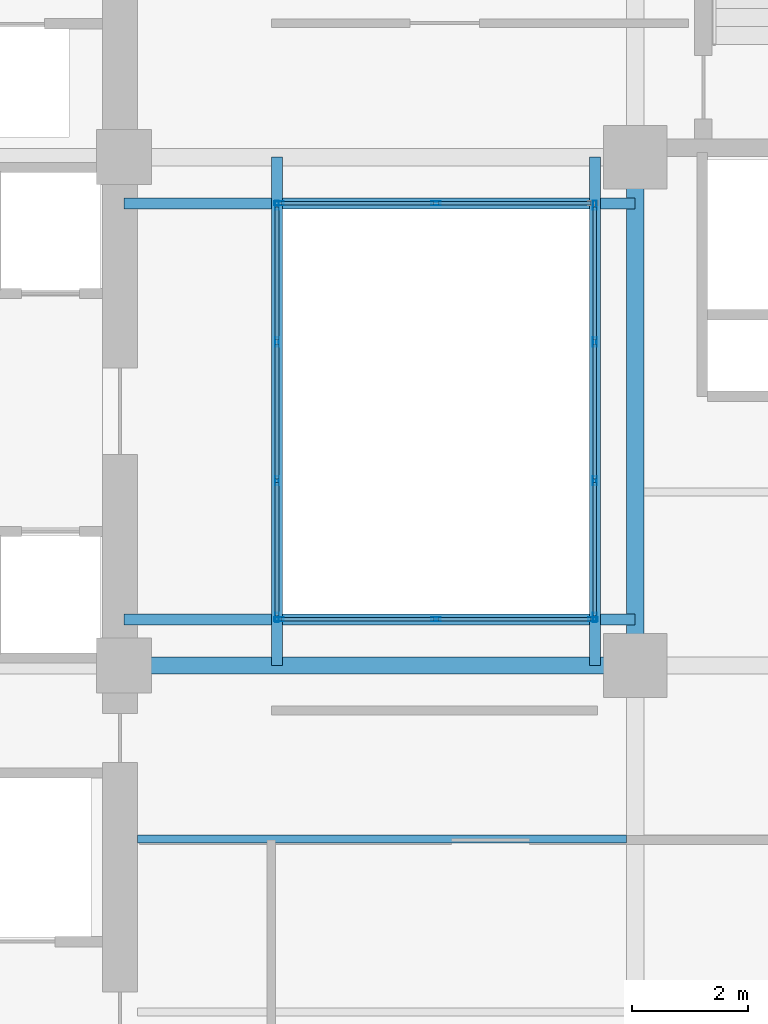
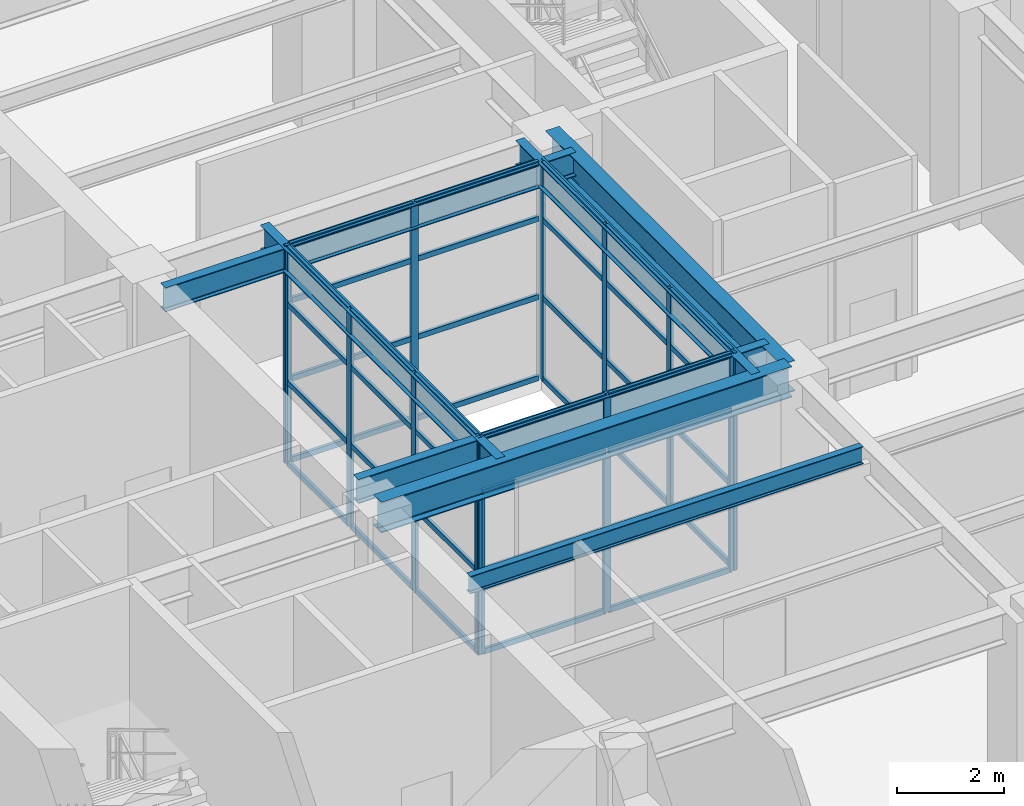
# One storey, part 2 of 13: 53 members, 7 beams, 4 elements without a shape of their own.
"""IFC4 building model written with IfcOpenShell, lengths in metres."""

from ifc_helpers import new_model, si_unit, direction, frame, origin, origin_2d, place, context, subcontext, project, spatial, hollow_rectangle, i_section, extrude, material, layer, layer_set, material_profile, profile_set, type_object, element, aggregate, save


model = new_model("IFC4")

# Units and contexts
model_context = context("Model", 3, precision=1e-05, world=origin(), true_north=direction((0.0, 1.0)))
body_context = subcontext(model_context, "Body", "Model", "MODEL_VIEW")
ifc_project = project(units=[si_unit("LENGTHUNIT", "METRE"), si_unit("AREAUNIT", "SQUARE_METRE"), si_unit("VOLUMEUNIT", "CUBIC_METRE"), si_unit("PLANEANGLEUNIT", "RADIAN"), si_unit("MASSUNIT", "GRAM", prefix="KILO")], contexts=[model_context])

# Site, building, storey
site_placement = place(None, origin())
site = spatial("IfcSite", under=ifc_project, at=site_placement, CompositionType="ELEMENT")
building_placement = place(site_placement, origin())
building = spatial("IfcBuilding", under=site, at=building_placement, Name="Kundavana Baori Tower", CompositionType="ELEMENT")
storey_placement = place(building_placement, frame((0.0, 0.0, 98.800048828125)))
storey = spatial("IfcBuildingStorey", under=building, at=storey_placement, Name="L23", CompositionType="ELEMENT", Elevation=98.800048828125)

# Beams
ifc_material_1 = material(Name="Structural Steel S355JR", Category="steel")
ifc_material_profile_1 = material_profile(ifc_material_1, i_section(OverallWidth=0.139892578125, OverallDepth=0.39990234375, WebThickness=0.0087890625, FlangeThickness=0.01611328125, FilletRadius=0.013916015625, at=origin_2d()), Name="ISMB 400")
ifc_profile_set_1 = profile_set([ifc_material_profile_1], Name="Structural Steel S355JR")
beam_type_1 = type_object("IfcBeamType", Name="BM-JST-400", PredefinedType="JOIST", material=ifc_profile_set_1)
beam_1_placement = place(storey_placement, frame((25.179931640625, 21.199951171875, 4.75), z_axis=(1.0, 0.0, 0.0), x_axis=(0.0, 1.0, 0.0)))
element("IfcBeam", 1, at=beam_1_placement, inside=storey, type_object=beam_type_1, Name="L23 Central Bay Composite Floor Joist C2", PredefinedType="JOIST", context=body_context, shape_type="SweptSolid", body=[
    extrude(i_section(OverallWidth=0.139892578125, OverallDepth=0.39990234375, WebThickness=0.0087890625, FlangeThickness=0.01611328125, FilletRadius=0.013916015625, at=origin_2d()), origin(), (0.0, 0.0, 1.0), 8.469970703125),
])
ifc_material_2 = material(Name="Structural Steel S355JR", Category="steel")
ifc_material_profile_2 = material_profile(ifc_material_2, i_section(OverallWidth=0.18994140625, OverallDepth=0.550048828125, WebThickness=0.01123046875, FlangeThickness=0.019287109375, FilletRadius=0.01806640625, at=origin_2d()), Name="ISMB 550")
ifc_profile_set_2 = profile_set([ifc_material_profile_2], Name="Structural Steel S355JR")
beam_type_2 = type_object("IfcBeamType", Name="BM-ST-550", PredefinedType="BEAM", material=ifc_profile_set_2)
for number, where, z_axis, x_axis, name in (
    (2, (27.60009765625, 24.199951171875, 4.675048828125), (0.0, 1.0, 0.0), (-1.0, 0.0, 0.0), "L23 Atrium West Edge Beam"),
    (3, (33.10009765625, 24.199951171875, 4.675048828125), (0.0, 1.0, 0.0), (-1.0, 0.0, 0.0), "L23 Atrium East Edge Beam"),
):
    element("IfcBeam", number, at=place(storey_placement, frame(where, z_axis=z_axis, x_axis=x_axis)), inside=storey, type_object=beam_type_2, Name=name, PredefinedType="BEAM", context=body_context, shape_type="SweptSolid", body=[
        extrude(i_section(OverallWidth=0.18994140625, OverallDepth=0.550048828125, WebThickness=0.01123046875, FlangeThickness=0.019287109375, FilletRadius=0.01806640625, at=origin_2d()), origin(), (0.0, 0.0, 1.0), 8.800048828125),
    ])
for number, where, z_axis, x_axis, name in (
    (4, (24.949951171875, 25.0, 4.675048828125), (1.0, 0.0, 0.0), (0.0, 1.0, 0.0), "L23 Atrium South Edge Beam"),
    (5, (24.949951171875, 32.199951171875, 4.675048828125), (1.0, 0.0, 0.0), (0.0, 1.0, 0.0), "L23 Atrium North Edge Beam"),
):
    element("IfcBeam", number, at=place(storey_placement, frame(where, z_axis=z_axis, x_axis=x_axis)), inside=storey, type_object=beam_type_2, Name=name, PredefinedType="BEAM", context=body_context, shape_type="SweptSolid", body=[
        extrude(i_section(OverallWidth=0.18994140625, OverallDepth=0.550048828125, WebThickness=0.01123046875, FlangeThickness=0.019287109375, FilletRadius=0.01806640625, at=origin_2d()), origin(), (0.0, 0.0, 1.0), 8.85009765625),
    ])
ifc_material_3 = material(Name="Structural Steel S355JR", Category="steel")
ifc_material_profile_3 = material_profile(ifc_material_3, i_section(OverallWidth=0.300048828125, OverallDepth=0.699951171875, WebThickness=0.014404296875, FlangeThickness=0.02392578125, FilletRadius=0.02392578125, at=origin_2d()), Name="NPB 700x300x170")
ifc_profile_set_3 = profile_set([ifc_material_profile_3], Name="Structural Steel S355JR")
beam_type_3 = type_object("IfcBeamType", Name="BM-ST-700", PredefinedType="BEAM", material=ifc_profile_set_3)
beam_2_placement = place(storey_placement, frame((24.949951171875, 24.199951171875, 4.599853515625), z_axis=(1.0, 0.0, 0.0), x_axis=(0.0, 1.0, 0.0)))
element("IfcBeam", 6, at=beam_2_placement, inside=storey, type_object=beam_type_3, Name="L23 Primary Grid Girder GX-2-2", PredefinedType="BEAM", context=body_context, shape_type="SweptSolid", body=[
    extrude(i_section(OverallWidth=0.300048828125, OverallDepth=0.699951171875, WebThickness=0.014404296875, FlangeThickness=0.02392578125, FilletRadius=0.02392578125, at=origin_2d()), origin(), (0.0, 0.0, 1.0), 8.85009765625),
])
beam_3_placement = place(storey_placement, frame((33.800048828125, 24.199951171875, 4.599853515625), z_axis=(0.0, 1.0, 0.0), x_axis=(-1.0, 0.0, 0.0)))
element("IfcBeam", 7, at=beam_3_placement, inside=storey, type_object=beam_type_3, Name="L23 Primary Grid Girder GY-3-2", PredefinedType="BEAM", context=body_context, shape_type="SweptSolid", body=[
    extrude(i_section(OverallWidth=0.300048828125, OverallDepth=0.699951171875, WebThickness=0.014404296875, FlangeThickness=0.02392578125, FilletRadius=0.02392578125, at=origin_2d()), origin(), (0.0, 0.0, 1.0), 8.800048828125),
])

# Curtain wall, members
ifc_material_4 = material(Name="Thermally Broken Anodised Aluminium Framing", Category="aluminium")
ifc_layer = layer(ifc_material_4, 0.205078125, Name="CW-SYS-4")
ifc_layer_set = layer_set([ifc_layer], Name="Thermally Broken Anodised Aluminium Framing")
curtain_wall_type = type_object("IfcCurtainWallType", Name="CW-SYS-4", PredefinedType="NOTDEFINED", material=ifc_layer_set)
curtain_wall_1_placement = place(storey_placement, origin())
curtain_wall_1 = element("IfcCurtainWall", 8, at=curtain_wall_1_placement, inside=storey, type_object=curtain_wall_type, Name="L23 Atrium Glazed Curtain Wall S", PredefinedType="NOTDEFINED")
ifc_material_5 = material(Name="Thermally Broken Anodised Aluminium Framing", Category="aluminium")
ifc_material_profile_4 = material_profile(ifc_material_5, hollow_rectangle(XDim=0.06494140625, YDim=0.159912109375, WallThickness=0.00390625, at=origin_2d()), Name="CW-MULL-160")
ifc_profile_set_4 = profile_set([ifc_material_profile_4], Name="Thermally Broken Anodised Aluminium Framing")
member_type_1 = type_object("IfcMemberType", Name="CW-MULL-160", PredefinedType="MULLION", material=ifc_profile_set_4)
member_1_placement = place(storey_placement, frame((27.632568359375, 25.0, 0.0), z_axis=(0.0, 0.0, 1.0), x_axis=(0.0, 1.0, 0.0)))
member_1 = element("IfcMember", 9, at=member_1_placement, type_object=member_type_1, Name="CW4 mullion 1", PredefinedType="MULLION", context=body_context, shape_type="SweptSolid", body=[
    extrude(hollow_rectangle(XDim=0.06494140625, YDim=0.159912109375, WallThickness=0.00390625, at=origin_2d()), origin(), (0.0, 0.0, 1.0), 4.949951171875),
])
member_2_placement = place(storey_placement, frame((30.35009765625, 25.0, 0.0), z_axis=(0.0, 0.0, 1.0), x_axis=(0.0, 1.0, 0.0)))
member_2 = element("IfcMember", 10, at=member_2_placement, type_object=member_type_1, Name="CW4 mullion 2", PredefinedType="MULLION", context=body_context, shape_type="SweptSolid", body=[
    extrude(hollow_rectangle(XDim=0.06494140625, YDim=0.159912109375, WallThickness=0.00390625, at=origin_2d()), origin(), (0.0, 0.0, 1.0), 4.949951171875),
])
member_3_placement = place(storey_placement, frame((33.0673828125, 25.0, 0.0), z_axis=(0.0, 0.0, 1.0), x_axis=(0.0, 1.0, 0.0)))
member_3 = element("IfcMember", 11, at=member_3_placement, type_object=member_type_1, Name="CW4 mullion 3", PredefinedType="MULLION", context=body_context, shape_type="SweptSolid", body=[
    extrude(hollow_rectangle(XDim=0.06494140625, YDim=0.159912109375, WallThickness=0.00390625, at=origin_2d()), origin(), (0.0, 0.0, 1.0), 4.949951171875),
])

curtain_wall_2_placement = place(storey_placement, origin())
curtain_wall_2 = element("IfcCurtainWall", 12, at=curtain_wall_2_placement, inside=storey, type_object=curtain_wall_type, Name="L23 Atrium Glazed Curtain Wall E", PredefinedType="NOTDEFINED")
member_4_placement = place(storey_placement, frame((33.10009765625, 25.032470703125, 0.0), z_axis=(0.0, 0.0, 1.0), x_axis=(-1.0, 0.0, 0.0)))
member_4 = element("IfcMember", 13, at=member_4_placement, type_object=member_type_1, Name="CW4 mullion 1", PredefinedType="MULLION", context=body_context, shape_type="SweptSolid", body=[
    extrude(hollow_rectangle(XDim=0.06494140625, YDim=0.159912109375, WallThickness=0.00390625, at=origin_2d()), origin(), (0.0, 0.0, 1.0), 4.949951171875),
])
member_5_placement = place(storey_placement, frame((33.10009765625, 27.39990234375, 0.0), z_axis=(0.0, 0.0, 1.0), x_axis=(-1.0, 0.0, 0.0)))
member_5 = element("IfcMember", 14, at=member_5_placement, type_object=member_type_1, Name="CW4 mullion 2", PredefinedType="MULLION", context=body_context, shape_type="SweptSolid", body=[
    extrude(hollow_rectangle(XDim=0.06494140625, YDim=0.159912109375, WallThickness=0.00390625, at=origin_2d()), origin(), (0.0, 0.0, 1.0), 4.949951171875),
])
member_6_placement = place(storey_placement, frame((33.10009765625, 29.800048828125, 0.0), z_axis=(0.0, 0.0, 1.0), x_axis=(-1.0, 0.0, 0.0)))
member_6 = element("IfcMember", 15, at=member_6_placement, type_object=member_type_1, Name="CW4 mullion 3", PredefinedType="MULLION", context=body_context, shape_type="SweptSolid", body=[
    extrude(hollow_rectangle(XDim=0.06494140625, YDim=0.159912109375, WallThickness=0.00390625, at=origin_2d()), origin(), (0.0, 0.0, 1.0), 4.949951171875),
])
member_7_placement = place(storey_placement, frame((33.10009765625, 32.16748046875, 0.0), z_axis=(0.0, 0.0, 1.0), x_axis=(-1.0, 0.0, 0.0)))
member_7 = element("IfcMember", 16, at=member_7_placement, type_object=member_type_1, Name="CW4 mullion 4", PredefinedType="MULLION", context=body_context, shape_type="SweptSolid", body=[
    extrude(hollow_rectangle(XDim=0.06494140625, YDim=0.159912109375, WallThickness=0.00390625, at=origin_2d()), origin(), (0.0, 0.0, 1.0), 4.949951171875),
])

curtain_wall_3_placement = place(storey_placement, origin())
curtain_wall_3 = element("IfcCurtainWall", 17, at=curtain_wall_3_placement, inside=storey, type_object=curtain_wall_type, Name="L23 Atrium Glazed Curtain Wall N", PredefinedType="NOTDEFINED")
member_8_placement = place(storey_placement, frame((30.35009765625, 32.199951171875, 0.0), z_axis=(0.0, 0.0, 1.0), x_axis=(0.0, -1.0, 0.0)))
member_8 = element("IfcMember", 18, at=member_8_placement, type_object=member_type_1, Name="CW4 mullion 2", PredefinedType="MULLION", context=body_context, shape_type="SweptSolid", body=[
    extrude(hollow_rectangle(XDim=0.06494140625, YDim=0.159912109375, WallThickness=0.00390625, at=origin_2d()), origin(), (0.0, 0.0, 1.0), 4.949951171875),
])
member_9_placement = place(storey_placement, frame((27.632568359375, 32.199951171875, 0.0), z_axis=(0.0, 0.0, 1.0), x_axis=(0.0, -1.0, 0.0)))
member_9 = element("IfcMember", 19, at=member_9_placement, type_object=member_type_1, Name="CW4 mullion 3", PredefinedType="MULLION", context=body_context, shape_type="SweptSolid", body=[
    extrude(hollow_rectangle(XDim=0.06494140625, YDim=0.159912109375, WallThickness=0.00390625, at=origin_2d()), origin(), (0.0, 0.0, 1.0), 4.949951171875),
])

curtain_wall_4_placement = place(storey_placement, origin())
curtain_wall_4 = element("IfcCurtainWall", 20, at=curtain_wall_4_placement, inside=storey, type_object=curtain_wall_type, Name="L23 Atrium Glazed Curtain Wall W", PredefinedType="NOTDEFINED")
member_10_placement = place(storey_placement, frame((27.60009765625, 32.16748046875, 0.0), z_axis=(0.0, 0.0, 1.0), x_axis=(1.0, 0.0, 0.0)))
member_10 = element("IfcMember", 21, at=member_10_placement, type_object=member_type_1, Name="CW4 mullion 1", PredefinedType="MULLION", context=body_context, shape_type="SweptSolid", body=[
    extrude(hollow_rectangle(XDim=0.06494140625, YDim=0.159912109375, WallThickness=0.00390625, at=origin_2d()), origin(), (0.0, 0.0, 1.0), 4.949951171875),
])
member_11_placement = place(storey_placement, frame((27.60009765625, 29.800048828125, 0.0), z_axis=(0.0, 0.0, 1.0), x_axis=(1.0, 0.0, 0.0)))
member_11 = element("IfcMember", 22, at=member_11_placement, type_object=member_type_1, Name="CW4 mullion 2", PredefinedType="MULLION", context=body_context, shape_type="SweptSolid", body=[
    extrude(hollow_rectangle(XDim=0.06494140625, YDim=0.159912109375, WallThickness=0.00390625, at=origin_2d()), origin(), (0.0, 0.0, 1.0), 4.949951171875),
])
member_12_placement = place(storey_placement, frame((27.60009765625, 27.39990234375, 0.0), z_axis=(0.0, 0.0, 1.0), x_axis=(1.0, 0.0, 0.0)))
member_12 = element("IfcMember", 23, at=member_12_placement, type_object=member_type_1, Name="CW4 mullion 3", PredefinedType="MULLION", context=body_context, shape_type="SweptSolid", body=[
    extrude(hollow_rectangle(XDim=0.06494140625, YDim=0.159912109375, WallThickness=0.00390625, at=origin_2d()), origin(), (0.0, 0.0, 1.0), 4.949951171875),
])
member_13_placement = place(storey_placement, frame((27.60009765625, 25.032470703125, 0.0), z_axis=(0.0, 0.0, 1.0), x_axis=(1.0, 0.0, 0.0)))
member_13 = element("IfcMember", 24, at=member_13_placement, type_object=member_type_1, Name="CW4 mullion 4", PredefinedType="MULLION", context=body_context, shape_type="SweptSolid", body=[
    extrude(hollow_rectangle(XDim=0.06494140625, YDim=0.159912109375, WallThickness=0.00390625, at=origin_2d()), origin(), (0.0, 0.0, 1.0), 4.949951171875),
])

# Member
ifc_material_6 = material(Name="Thermally Broken Anodised Aluminium Framing", Category="aluminium")
ifc_material_profile_5 = material_profile(ifc_material_6, hollow_rectangle(XDim=0.06494140625, YDim=0.1201171875, WallThickness=0.00390625, at=origin_2d()), Name="CW-TRAN-120")
ifc_profile_set_5 = profile_set([ifc_material_profile_5], Name="Thermally Broken Anodised Aluminium Framing")
member_type_2 = type_object("IfcMemberType", Name="CW-TRAN-120", PredefinedType="USERDEFINED", material=ifc_profile_set_5)
member_14_placement = place(storey_placement, frame((27.6650390625, 25.0, 0.032470703125), z_axis=(1.0, 0.0, 0.0), x_axis=(0.0, 1.0, 0.0)))
member_14 = element("IfcMember", 25, at=member_14_placement, type_object=member_type_2, Name="CW4 transom 1.1", ObjectType="TRANSOM", PredefinedType="USERDEFINED", context=body_context, shape_type="SweptSolid", body=[
    extrude(hollow_rectangle(XDim=0.06494140625, YDim=0.1201171875, WallThickness=0.00390625, at=origin_2d()), origin(), (0.0, 0.0, 1.0), 2.65234375),
])

member_15_placement = place(storey_placement, frame((27.6650390625, 25.0, 1.880859375), z_axis=(1.0, 0.0, 0.0), x_axis=(0.0, 1.0, 0.0)))
member_15 = element("IfcMember", 26, at=member_15_placement, type_object=member_type_2, Name="CW4 transom 1.2", ObjectType="TRANSOM", PredefinedType="USERDEFINED", context=body_context, shape_type="SweptSolid", body=[
    extrude(hollow_rectangle(XDim=0.06494140625, YDim=0.1201171875, WallThickness=0.00390625, at=origin_2d()), origin(), (0.0, 0.0, 1.0), 2.65234375),
])

member_16_placement = place(storey_placement, frame((27.6650390625, 25.0, 3.662841796875), z_axis=(1.0, 0.0, 0.0), x_axis=(0.0, 1.0, 0.0)))
member_16 = element("IfcMember", 27, at=member_16_placement, type_object=member_type_2, Name="CW4 transom 1.3", ObjectType="TRANSOM", PredefinedType="USERDEFINED", context=body_context, shape_type="SweptSolid", body=[
    extrude(hollow_rectangle(XDim=0.06494140625, YDim=0.1201171875, WallThickness=0.00390625, at=origin_2d()), origin(), (0.0, 0.0, 1.0), 2.65234375),
])

member_17_placement = place(storey_placement, frame((27.6650390625, 25.0, 4.91748046875), z_axis=(1.0, 0.0, 0.0), x_axis=(0.0, 1.0, 0.0)))
member_17 = element("IfcMember", 28, at=member_17_placement, type_object=member_type_2, Name="CW4 transom 1.4", ObjectType="TRANSOM", PredefinedType="USERDEFINED", context=body_context, shape_type="SweptSolid", body=[
    extrude(hollow_rectangle(XDim=0.06494140625, YDim=0.1201171875, WallThickness=0.00390625, at=origin_2d()), origin(), (0.0, 0.0, 1.0), 2.65234375),
])

member_18_placement = place(storey_placement, frame((30.382568359375, 25.0, 0.032470703125), z_axis=(1.0, 0.0, 0.0), x_axis=(0.0, 1.0, 0.0)))
member_18 = element("IfcMember", 29, at=member_18_placement, type_object=member_type_2, Name="CW4 transom 2.1", ObjectType="TRANSOM", PredefinedType="USERDEFINED", context=body_context, shape_type="SweptSolid", body=[
    extrude(hollow_rectangle(XDim=0.06494140625, YDim=0.1201171875, WallThickness=0.00390625, at=origin_2d()), origin(), (0.0, 0.0, 1.0), 2.65234375),
])

member_19_placement = place(storey_placement, frame((30.382568359375, 25.0, 1.880859375), z_axis=(1.0, 0.0, 0.0), x_axis=(0.0, 1.0, 0.0)))
member_19 = element("IfcMember", 30, at=member_19_placement, type_object=member_type_2, Name="CW4 transom 2.2", ObjectType="TRANSOM", PredefinedType="USERDEFINED", context=body_context, shape_type="SweptSolid", body=[
    extrude(hollow_rectangle(XDim=0.06494140625, YDim=0.1201171875, WallThickness=0.00390625, at=origin_2d()), origin(), (0.0, 0.0, 1.0), 2.65234375),
])

member_20_placement = place(storey_placement, frame((30.382568359375, 25.0, 3.662841796875), z_axis=(1.0, 0.0, 0.0), x_axis=(0.0, 1.0, 0.0)))
member_20 = element("IfcMember", 31, at=member_20_placement, type_object=member_type_2, Name="CW4 transom 2.3", ObjectType="TRANSOM", PredefinedType="USERDEFINED", context=body_context, shape_type="SweptSolid", body=[
    extrude(hollow_rectangle(XDim=0.06494140625, YDim=0.1201171875, WallThickness=0.00390625, at=origin_2d()), origin(), (0.0, 0.0, 1.0), 2.65234375),
])

member_21_placement = place(storey_placement, frame((30.382568359375, 25.0, 4.91748046875), z_axis=(1.0, 0.0, 0.0), x_axis=(0.0, 1.0, 0.0)))
member_21 = element("IfcMember", 32, at=member_21_placement, type_object=member_type_2, Name="CW4 transom 2.4", ObjectType="TRANSOM", PredefinedType="USERDEFINED", context=body_context, shape_type="SweptSolid", body=[
    extrude(hollow_rectangle(XDim=0.06494140625, YDim=0.1201171875, WallThickness=0.00390625, at=origin_2d()), origin(), (0.0, 0.0, 1.0), 2.65234375),
])

aggregate(curtain_wall_1, [member_1, member_2, member_3, member_14, member_15, member_16, member_17, member_18, member_19, member_20, member_21])

member_22_placement = place(storey_placement, frame((33.10009765625, 25.06494140625, 0.032470703125), z_axis=(0.0, 1.0, 0.0), x_axis=(-1.0, 0.0, 0.0)))
member_22 = element("IfcMember", 33, at=member_22_placement, type_object=member_type_2, Name="CW4 transom 1.1", ObjectType="TRANSOM", PredefinedType="USERDEFINED", context=body_context, shape_type="SweptSolid", body=[
    extrude(hollow_rectangle(XDim=0.06494140625, YDim=0.1201171875, WallThickness=0.00390625, at=origin_2d()), origin(), (0.0, 0.0, 1.0), 2.302490234375),
])

member_23_placement = place(storey_placement, frame((33.10009765625, 25.06494140625, 1.880859375), z_axis=(0.0, 1.0, 0.0), x_axis=(-1.0, 0.0, 0.0)))
member_23 = element("IfcMember", 34, at=member_23_placement, type_object=member_type_2, Name="CW4 transom 1.2", ObjectType="TRANSOM", PredefinedType="USERDEFINED", context=body_context, shape_type="SweptSolid", body=[
    extrude(hollow_rectangle(XDim=0.06494140625, YDim=0.1201171875, WallThickness=0.00390625, at=origin_2d()), origin(), (0.0, 0.0, 1.0), 2.302490234375),
])

member_24_placement = place(storey_placement, frame((33.10009765625, 25.06494140625, 3.662841796875), z_axis=(0.0, 1.0, 0.0), x_axis=(-1.0, 0.0, 0.0)))
member_24 = element("IfcMember", 35, at=member_24_placement, type_object=member_type_2, Name="CW4 transom 1.3", ObjectType="TRANSOM", PredefinedType="USERDEFINED", context=body_context, shape_type="SweptSolid", body=[
    extrude(hollow_rectangle(XDim=0.06494140625, YDim=0.1201171875, WallThickness=0.00390625, at=origin_2d()), origin(), (0.0, 0.0, 1.0), 2.302490234375),
])

member_25_placement = place(storey_placement, frame((33.10009765625, 25.06494140625, 4.91748046875), z_axis=(0.0, 1.0, 0.0), x_axis=(-1.0, 0.0, 0.0)))
member_25 = element("IfcMember", 36, at=member_25_placement, type_object=member_type_2, Name="CW4 transom 1.4", ObjectType="TRANSOM", PredefinedType="USERDEFINED", context=body_context, shape_type="SweptSolid", body=[
    extrude(hollow_rectangle(XDim=0.06494140625, YDim=0.1201171875, WallThickness=0.00390625, at=origin_2d()), origin(), (0.0, 0.0, 1.0), 2.302490234375),
])

member_26_placement = place(storey_placement, frame((33.10009765625, 27.4326171875, 0.032470703125), z_axis=(0.0, 1.0, 0.0), x_axis=(-1.0, 0.0, 0.0)))
member_26 = element("IfcMember", 37, at=member_26_placement, type_object=member_type_2, Name="CW4 transom 2.1", ObjectType="TRANSOM", PredefinedType="USERDEFINED", context=body_context, shape_type="SweptSolid", body=[
    extrude(hollow_rectangle(XDim=0.06494140625, YDim=0.1201171875, WallThickness=0.00390625, at=origin_2d()), origin(), (0.0, 0.0, 1.0), 2.3349609375),
])

member_27_placement = place(storey_placement, frame((33.10009765625, 27.4326171875, 1.880859375), z_axis=(0.0, 1.0, 0.0), x_axis=(-1.0, 0.0, 0.0)))
member_27 = element("IfcMember", 38, at=member_27_placement, type_object=member_type_2, Name="CW4 transom 2.2", ObjectType="TRANSOM", PredefinedType="USERDEFINED", context=body_context, shape_type="SweptSolid", body=[
    extrude(hollow_rectangle(XDim=0.06494140625, YDim=0.1201171875, WallThickness=0.00390625, at=origin_2d()), origin(), (0.0, 0.0, 1.0), 2.3349609375),
])

member_28_placement = place(storey_placement, frame((33.10009765625, 27.4326171875, 3.662841796875), z_axis=(0.0, 1.0, 0.0), x_axis=(-1.0, 0.0, 0.0)))
member_28 = element("IfcMember", 39, at=member_28_placement, type_object=member_type_2, Name="CW4 transom 2.3", ObjectType="TRANSOM", PredefinedType="USERDEFINED", context=body_context, shape_type="SweptSolid", body=[
    extrude(hollow_rectangle(XDim=0.06494140625, YDim=0.1201171875, WallThickness=0.00390625, at=origin_2d()), origin(), (0.0, 0.0, 1.0), 2.3349609375),
])

member_29_placement = place(storey_placement, frame((33.10009765625, 27.4326171875, 4.91748046875), z_axis=(0.0, 1.0, 0.0), x_axis=(-1.0, 0.0, 0.0)))
member_29 = element("IfcMember", 40, at=member_29_placement, type_object=member_type_2, Name="CW4 transom 2.4", ObjectType="TRANSOM", PredefinedType="USERDEFINED", context=body_context, shape_type="SweptSolid", body=[
    extrude(hollow_rectangle(XDim=0.06494140625, YDim=0.1201171875, WallThickness=0.00390625, at=origin_2d()), origin(), (0.0, 0.0, 1.0), 2.3349609375),
])

member_30_placement = place(storey_placement, frame((33.10009765625, 29.83251953125, 0.032470703125), z_axis=(0.0, 1.0, 0.0), x_axis=(-1.0, 0.0, 0.0)))
member_30 = element("IfcMember", 41, at=member_30_placement, type_object=member_type_2, Name="CW4 transom 3.1", ObjectType="TRANSOM", PredefinedType="USERDEFINED", context=body_context, shape_type="SweptSolid", body=[
    extrude(hollow_rectangle(XDim=0.06494140625, YDim=0.1201171875, WallThickness=0.00390625, at=origin_2d()), origin(), (0.0, 0.0, 1.0), 2.302490234375),
])

member_31_placement = place(storey_placement, frame((33.10009765625, 29.83251953125, 1.880859375), z_axis=(0.0, 1.0, 0.0), x_axis=(-1.0, 0.0, 0.0)))
member_31 = element("IfcMember", 42, at=member_31_placement, type_object=member_type_2, Name="CW4 transom 3.2", ObjectType="TRANSOM", PredefinedType="USERDEFINED", context=body_context, shape_type="SweptSolid", body=[
    extrude(hollow_rectangle(XDim=0.06494140625, YDim=0.1201171875, WallThickness=0.00390625, at=origin_2d()), origin(), (0.0, 0.0, 1.0), 2.302490234375),
])

member_32_placement = place(storey_placement, frame((33.10009765625, 29.83251953125, 3.662841796875), z_axis=(0.0, 1.0, 0.0), x_axis=(-1.0, 0.0, 0.0)))
member_32 = element("IfcMember", 43, at=member_32_placement, type_object=member_type_2, Name="CW4 transom 3.3", ObjectType="TRANSOM", PredefinedType="USERDEFINED", context=body_context, shape_type="SweptSolid", body=[
    extrude(hollow_rectangle(XDim=0.06494140625, YDim=0.1201171875, WallThickness=0.00390625, at=origin_2d()), origin(), (0.0, 0.0, 1.0), 2.302490234375),
])

member_33_placement = place(storey_placement, frame((33.10009765625, 29.83251953125, 4.91748046875), z_axis=(0.0, 1.0, 0.0), x_axis=(-1.0, 0.0, 0.0)))
member_33 = element("IfcMember", 44, at=member_33_placement, type_object=member_type_2, Name="CW4 transom 3.4", ObjectType="TRANSOM", PredefinedType="USERDEFINED", context=body_context, shape_type="SweptSolid", body=[
    extrude(hollow_rectangle(XDim=0.06494140625, YDim=0.1201171875, WallThickness=0.00390625, at=origin_2d()), origin(), (0.0, 0.0, 1.0), 2.302490234375),
])

aggregate(curtain_wall_2, [member_4, member_5, member_6, member_7, member_22, member_23, member_24, member_25, member_26, member_27, member_28, member_29, member_30, member_31, member_32, member_33])

member_34_placement = place(storey_placement, frame((33.034912109375, 32.199951171875, 0.032470703125), z_axis=(-1.0, 0.0, 0.0), x_axis=(0.0, -1.0, 0.0)))
member_34 = element("IfcMember", 45, at=member_34_placement, type_object=member_type_2, Name="CW4 transom 1.1", ObjectType="TRANSOM", PredefinedType="USERDEFINED", context=body_context, shape_type="SweptSolid", body=[
    extrude(hollow_rectangle(XDim=0.06494140625, YDim=0.1201171875, WallThickness=0.00390625, at=origin_2d()), origin(), (0.0, 0.0, 1.0), 2.65234375),
])

member_35_placement = place(storey_placement, frame((33.034912109375, 32.199951171875, 1.880859375), z_axis=(-1.0, 0.0, 0.0), x_axis=(0.0, -1.0, 0.0)))
member_35 = element("IfcMember", 46, at=member_35_placement, type_object=member_type_2, Name="CW4 transom 1.2", ObjectType="TRANSOM", PredefinedType="USERDEFINED", context=body_context, shape_type="SweptSolid", body=[
    extrude(hollow_rectangle(XDim=0.06494140625, YDim=0.1201171875, WallThickness=0.00390625, at=origin_2d()), origin(), (0.0, 0.0, 1.0), 2.65234375),
])

member_36_placement = place(storey_placement, frame((33.034912109375, 32.199951171875, 3.662841796875), z_axis=(-1.0, 0.0, 0.0), x_axis=(0.0, -1.0, 0.0)))
member_36 = element("IfcMember", 47, at=member_36_placement, type_object=member_type_2, Name="CW4 transom 1.3", ObjectType="TRANSOM", PredefinedType="USERDEFINED", context=body_context, shape_type="SweptSolid", body=[
    extrude(hollow_rectangle(XDim=0.06494140625, YDim=0.1201171875, WallThickness=0.00390625, at=origin_2d()), origin(), (0.0, 0.0, 1.0), 2.65234375),
])

member_37_placement = place(storey_placement, frame((33.034912109375, 32.199951171875, 4.91748046875), z_axis=(-1.0, 0.0, 0.0), x_axis=(0.0, -1.0, 0.0)))
member_37 = element("IfcMember", 48, at=member_37_placement, type_object=member_type_2, Name="CW4 transom 1.4", ObjectType="TRANSOM", PredefinedType="USERDEFINED", context=body_context, shape_type="SweptSolid", body=[
    extrude(hollow_rectangle(XDim=0.06494140625, YDim=0.1201171875, WallThickness=0.00390625, at=origin_2d()), origin(), (0.0, 0.0, 1.0), 2.65234375),
])

member_38_placement = place(storey_placement, frame((30.3173828125, 32.199951171875, 0.032470703125), z_axis=(-1.0, 0.0, 0.0), x_axis=(0.0, -1.0, 0.0)))
member_38 = element("IfcMember", 49, at=member_38_placement, type_object=member_type_2, Name="CW4 transom 2.1", ObjectType="TRANSOM", PredefinedType="USERDEFINED", context=body_context, shape_type="SweptSolid", body=[
    extrude(hollow_rectangle(XDim=0.06494140625, YDim=0.1201171875, WallThickness=0.00390625, at=origin_2d()), origin(), (0.0, 0.0, 1.0), 2.65234375),
])

member_39_placement = place(storey_placement, frame((30.3173828125, 32.199951171875, 1.880859375), z_axis=(-1.0, 0.0, 0.0), x_axis=(0.0, -1.0, 0.0)))
member_39 = element("IfcMember", 50, at=member_39_placement, type_object=member_type_2, Name="CW4 transom 2.2", ObjectType="TRANSOM", PredefinedType="USERDEFINED", context=body_context, shape_type="SweptSolid", body=[
    extrude(hollow_rectangle(XDim=0.06494140625, YDim=0.1201171875, WallThickness=0.00390625, at=origin_2d()), origin(), (0.0, 0.0, 1.0), 2.65234375),
])

member_40_placement = place(storey_placement, frame((30.3173828125, 32.199951171875, 3.662841796875), z_axis=(-1.0, 0.0, 0.0), x_axis=(0.0, -1.0, 0.0)))
member_40 = element("IfcMember", 51, at=member_40_placement, type_object=member_type_2, Name="CW4 transom 2.3", ObjectType="TRANSOM", PredefinedType="USERDEFINED", context=body_context, shape_type="SweptSolid", body=[
    extrude(hollow_rectangle(XDim=0.06494140625, YDim=0.1201171875, WallThickness=0.00390625, at=origin_2d()), origin(), (0.0, 0.0, 1.0), 2.65234375),
])

member_41_placement = place(storey_placement, frame((30.3173828125, 32.199951171875, 4.91748046875), z_axis=(-1.0, 0.0, 0.0), x_axis=(0.0, -1.0, 0.0)))
member_41 = element("IfcMember", 52, at=member_41_placement, type_object=member_type_2, Name="CW4 transom 2.4", ObjectType="TRANSOM", PredefinedType="USERDEFINED", context=body_context, shape_type="SweptSolid", body=[
    extrude(hollow_rectangle(XDim=0.06494140625, YDim=0.1201171875, WallThickness=0.00390625, at=origin_2d()), origin(), (0.0, 0.0, 1.0), 2.65234375),
])

aggregate(curtain_wall_3, [member_8, member_9, member_34, member_35, member_36, member_37, member_38, member_39, member_40, member_41])

member_42_placement = place(storey_placement, frame((27.60009765625, 32.135009765625, 0.032470703125), z_axis=(0.0, -1.0, 0.0), x_axis=(1.0, 0.0, 0.0)))
member_42 = element("IfcMember", 53, at=member_42_placement, type_object=member_type_2, Name="CW4 transom 1.1", ObjectType="TRANSOM", PredefinedType="USERDEFINED", context=body_context, shape_type="SweptSolid", body=[
    extrude(hollow_rectangle(XDim=0.06494140625, YDim=0.1201171875, WallThickness=0.00390625, at=origin_2d()), origin(), (0.0, 0.0, 1.0), 2.302490234375),
])

member_43_placement = place(storey_placement, frame((27.60009765625, 32.135009765625, 1.880859375), z_axis=(0.0, -1.0, 0.0), x_axis=(1.0, 0.0, 0.0)))
member_43 = element("IfcMember", 54, at=member_43_placement, type_object=member_type_2, Name="CW4 transom 1.2", ObjectType="TRANSOM", PredefinedType="USERDEFINED", context=body_context, shape_type="SweptSolid", body=[
    extrude(hollow_rectangle(XDim=0.06494140625, YDim=0.1201171875, WallThickness=0.00390625, at=origin_2d()), origin(), (0.0, 0.0, 1.0), 2.302490234375),
])

member_44_placement = place(storey_placement, frame((27.60009765625, 32.135009765625, 3.662841796875), z_axis=(0.0, -1.0, 0.0), x_axis=(1.0, 0.0, 0.0)))
member_44 = element("IfcMember", 55, at=member_44_placement, type_object=member_type_2, Name="CW4 transom 1.3", ObjectType="TRANSOM", PredefinedType="USERDEFINED", context=body_context, shape_type="SweptSolid", body=[
    extrude(hollow_rectangle(XDim=0.06494140625, YDim=0.1201171875, WallThickness=0.00390625, at=origin_2d()), origin(), (0.0, 0.0, 1.0), 2.302490234375),
])

member_45_placement = place(storey_placement, frame((27.60009765625, 32.135009765625, 4.91748046875), z_axis=(0.0, -1.0, 0.0), x_axis=(1.0, 0.0, 0.0)))
member_45 = element("IfcMember", 56, at=member_45_placement, type_object=member_type_2, Name="CW4 transom 1.4", ObjectType="TRANSOM", PredefinedType="USERDEFINED", context=body_context, shape_type="SweptSolid", body=[
    extrude(hollow_rectangle(XDim=0.06494140625, YDim=0.1201171875, WallThickness=0.00390625, at=origin_2d()), origin(), (0.0, 0.0, 1.0), 2.302490234375),
])

member_46_placement = place(storey_placement, frame((27.60009765625, 29.767578125, 0.032470703125), z_axis=(0.0, -1.0, 0.0), x_axis=(1.0, 0.0, 0.0)))
member_46 = element("IfcMember", 57, at=member_46_placement, type_object=member_type_2, Name="CW4 transom 2.1", ObjectType="TRANSOM", PredefinedType="USERDEFINED", context=body_context, shape_type="SweptSolid", body=[
    extrude(hollow_rectangle(XDim=0.06494140625, YDim=0.1201171875, WallThickness=0.00390625, at=origin_2d()), origin(), (0.0, 0.0, 1.0), 2.3349609375),
])

member_47_placement = place(storey_placement, frame((27.60009765625, 29.767578125, 1.880859375), z_axis=(0.0, -1.0, 0.0), x_axis=(1.0, 0.0, 0.0)))
member_47 = element("IfcMember", 58, at=member_47_placement, type_object=member_type_2, Name="CW4 transom 2.2", ObjectType="TRANSOM", PredefinedType="USERDEFINED", context=body_context, shape_type="SweptSolid", body=[
    extrude(hollow_rectangle(XDim=0.06494140625, YDim=0.1201171875, WallThickness=0.00390625, at=origin_2d()), origin(), (0.0, 0.0, 1.0), 2.3349609375),
])

member_48_placement = place(storey_placement, frame((27.60009765625, 29.767578125, 3.662841796875), z_axis=(0.0, -1.0, 0.0), x_axis=(1.0, 0.0, 0.0)))
member_48 = element("IfcMember", 59, at=member_48_placement, type_object=member_type_2, Name="CW4 transom 2.3", ObjectType="TRANSOM", PredefinedType="USERDEFINED", context=body_context, shape_type="SweptSolid", body=[
    extrude(hollow_rectangle(XDim=0.06494140625, YDim=0.1201171875, WallThickness=0.00390625, at=origin_2d()), origin(), (0.0, 0.0, 1.0), 2.3349609375),
])

member_49_placement = place(storey_placement, frame((27.60009765625, 29.767578125, 4.91748046875), z_axis=(0.0, -1.0, 0.0), x_axis=(1.0, 0.0, 0.0)))
member_49 = element("IfcMember", 60, at=member_49_placement, type_object=member_type_2, Name="CW4 transom 2.4", ObjectType="TRANSOM", PredefinedType="USERDEFINED", context=body_context, shape_type="SweptSolid", body=[
    extrude(hollow_rectangle(XDim=0.06494140625, YDim=0.1201171875, WallThickness=0.00390625, at=origin_2d()), origin(), (0.0, 0.0, 1.0), 2.3349609375),
])

member_50_placement = place(storey_placement, frame((27.60009765625, 27.367431640625, 0.032470703125), z_axis=(0.0, -1.0, 0.0), x_axis=(1.0, 0.0, 0.0)))
member_50 = element("IfcMember", 61, at=member_50_placement, type_object=member_type_2, Name="CW4 transom 3.1", ObjectType="TRANSOM", PredefinedType="USERDEFINED", context=body_context, shape_type="SweptSolid", body=[
    extrude(hollow_rectangle(XDim=0.06494140625, YDim=0.1201171875, WallThickness=0.00390625, at=origin_2d()), origin(), (0.0, 0.0, 1.0), 2.302490234375),
])

member_51_placement = place(storey_placement, frame((27.60009765625, 27.367431640625, 1.880859375), z_axis=(0.0, -1.0, 0.0), x_axis=(1.0, 0.0, 0.0)))
member_51 = element("IfcMember", 62, at=member_51_placement, type_object=member_type_2, Name="CW4 transom 3.2", ObjectType="TRANSOM", PredefinedType="USERDEFINED", context=body_context, shape_type="SweptSolid", body=[
    extrude(hollow_rectangle(XDim=0.06494140625, YDim=0.1201171875, WallThickness=0.00390625, at=origin_2d()), origin(), (0.0, 0.0, 1.0), 2.302490234375),
])

member_52_placement = place(storey_placement, frame((27.60009765625, 27.367431640625, 3.662841796875), z_axis=(0.0, -1.0, 0.0), x_axis=(1.0, 0.0, 0.0)))
member_52 = element("IfcMember", 63, at=member_52_placement, type_object=member_type_2, Name="CW4 transom 3.3", ObjectType="TRANSOM", PredefinedType="USERDEFINED", context=body_context, shape_type="SweptSolid", body=[
    extrude(hollow_rectangle(XDim=0.06494140625, YDim=0.1201171875, WallThickness=0.00390625, at=origin_2d()), origin(), (0.0, 0.0, 1.0), 2.302490234375),
])

member_53_placement = place(storey_placement, frame((27.60009765625, 27.367431640625, 4.91748046875), z_axis=(0.0, -1.0, 0.0), x_axis=(1.0, 0.0, 0.0)))
member_53 = element("IfcMember", 64, at=member_53_placement, type_object=member_type_2, Name="CW4 transom 3.4", ObjectType="TRANSOM", PredefinedType="USERDEFINED", context=body_context, shape_type="SweptSolid", body=[
    extrude(hollow_rectangle(XDim=0.06494140625, YDim=0.1201171875, WallThickness=0.00390625, at=origin_2d()), origin(), (0.0, 0.0, 1.0), 2.302490234375),
])

aggregate(curtain_wall_4, [member_10, member_11, member_12, member_13, member_42, member_43, member_44, member_45, member_46, member_47, member_48, member_49, member_50, member_51, member_52, member_53])

save(model, "model.ifc")
